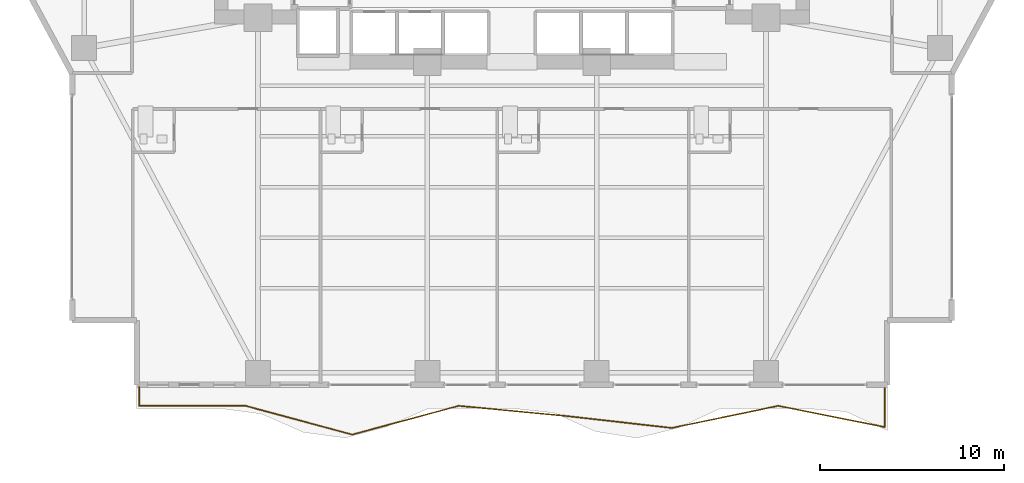
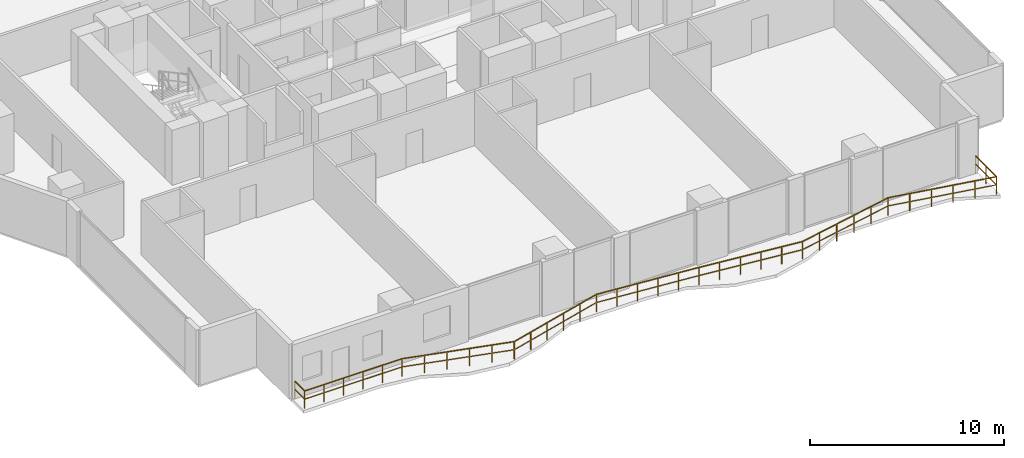
# One storey, part 25 of 28: 1 railing.
"""IFC4 building model written with IfcOpenShell, lengths in metres."""

from ifc_helpers import new_model, si_unit, direction, frame, origin, origin_2d, place, context, subcontext, project, spatial, rectangle, extrude, material, type_object, element, save


model = new_model("IFC4")

# Units and contexts
model_context = context("Model", 3, precision=1e-05, world=origin(), true_north=direction((0.0, 1.0)))
body_context = subcontext(model_context, "Body", "Model", "MODEL_VIEW")
ifc_project = project(units=[si_unit("LENGTHUNIT", "METRE"), si_unit("AREAUNIT", "SQUARE_METRE"), si_unit("VOLUMEUNIT", "CUBIC_METRE"), si_unit("PLANEANGLEUNIT", "RADIAN"), si_unit("MASSUNIT", "GRAM", prefix="KILO")], contexts=[model_context])

# Site, building, storey
site_placement = place(None, origin())
site = spatial("IfcSite", under=ifc_project, at=site_placement, CompositionType="ELEMENT")
building_placement = place(site_placement, origin())
building = spatial("IfcBuilding", under=site, at=building_placement, Name="Zuhayl Quay Hotel", CompositionType="ELEMENT")
storey_placement = place(building_placement, frame((0.0, 0.0, 146.75)))
storey = spatial("IfcBuildingStorey", under=building, at=storey_placement, Name="L37", CompositionType="ELEMENT", Elevation=146.75)

# Railing
ifc_material = material(Name="Anodised Aluminium and Laminated Glass", Category="aluminium")
railing_type = type_object("IfcRailingType", Name="RL_EXT_BAL_1100", PredefinedType="BALUSTRADE", material=ifc_material)
railing_placement = place(storey_placement, frame((-20.260009765625, -15.52001953125, 0.0)))
element("IfcRailing", 1, at=railing_placement, inside=storey, type_object=railing_type, Name="L37 Balcony and Terrace Guard GR_L37_BAL_S", PredefinedType="BALUSTRADE", context=body_context, shape_type="SweptSolid", body=[
    extrude(rectangle(XDim=0.048095703125, YDim=0.048095703125, at=origin_2d()), frame((0.0, 0.0, 1.09619140625), z_axis=(0.0, -1.0, 0.0), x_axis=(1.0, 0.0, 0.0)), (0.0, 0.0, 1.0), 1.02001953125),
    extrude(rectangle(XDim=0.0361328125, YDim=0.0361328125, at=origin_2d()), frame((0.0, 0.0, 0.58251953125), z_axis=(0.0, -1.0, 0.0), x_axis=(1.0, 0.0, 0.0)), (0.0, 0.0, 1.0), 1.02001953125),
    extrude(rectangle(XDim=0.048095703125, YDim=0.048095703125, at=origin_2d()), frame((0.0, -1.02001953125, 1.09619140625), z_axis=(1.0, 0.0, 0.0), x_axis=(0.0, 1.0, 0.0)), (0.0, 0.0, 1.0), 5.78857421875),
    extrude(rectangle(XDim=0.0361328125, YDim=0.0361328125, at=origin_2d()), frame((0.0, -1.02001953125, 0.58251953125), z_axis=(1.0, 0.0, 0.0), x_axis=(0.0, 1.0, 0.0)), (0.0, 0.0, 1.0), 5.78857421875),
    extrude(rectangle(XDim=0.048095703125, YDim=0.048095703125, at=origin_2d()), frame((5.78857421875, -1.02001953125, 1.09619140625), z_axis=(0.965497708312, -0.260411549753, 0.0), x_axis=(0.260411549753, 0.965497708312, 0.0)), (0.0, 0.0, 1.0), 5.995361328125),
    extrude(rectangle(XDim=0.0361328125, YDim=0.0361328125, at=origin_2d()), frame((5.78857421875, -1.02001953125, 0.58251953125), z_axis=(0.965497708312, -0.260411549753, 0.0), x_axis=(0.260411549753, 0.965497708312, 0.0)), (0.0, 0.0, 1.0), 5.995361328125),
    extrude(rectangle(XDim=0.048095703125, YDim=0.048095703125, at=origin_2d()), frame((11.5771484375, -2.581298828125, 1.09619140625), z_axis=(0.965497708312, 0.260411549753, 0.0), x_axis=(-0.260411549753, 0.965497708312, 0.0)), (0.0, 0.0, 1.0), 5.995361328125),
    extrude(rectangle(XDim=0.0361328125, YDim=0.0361328125, at=origin_2d()), frame((11.5771484375, -2.581298828125, 0.58251953125), z_axis=(0.965497708312, 0.260411549753, 0.0), x_axis=(-0.260411549753, 0.965497708312, 0.0)), (0.0, 0.0, 1.0), 5.995361328125),
    extrude(rectangle(XDim=0.048095703125, YDim=0.048095703125, at=origin_2d()), frame((17.36572265625, -1.02001953125, 1.09619140625), z_axis=(0.995570830919, -0.094014470284, 0.0), x_axis=(0.094014470284, 0.995570830919, 0.0)), (0.0, 0.0, 1.0), 5.814208984375),
    extrude(rectangle(XDim=0.0361328125, YDim=0.0361328125, at=origin_2d()), frame((17.36572265625, -1.02001953125, 0.58251953125), z_axis=(0.995570830919, -0.094014470284, 0.0), x_axis=(0.094014470284, 0.995570830919, 0.0)), (0.0, 0.0, 1.0), 5.814208984375),
    extrude(rectangle(XDim=0.048095703125, YDim=0.048095703125, at=origin_2d()), frame((23.154296875, -1.566650390625, 1.09619140625), z_axis=(0.993681749637, -0.112234488635, 0.0), x_axis=(0.112234488635, 0.993681749637, 0.0)), (0.0, 0.0, 1.0), 5.825439453125),
    extrude(rectangle(XDim=0.0361328125, YDim=0.0361328125, at=origin_2d()), frame((23.154296875, -1.566650390625, 0.58251953125), z_axis=(0.993681749637, -0.112234488635, 0.0), x_axis=(0.112234488635, 0.993681749637, 0.0)), (0.0, 0.0, 1.0), 5.825439453125),
    extrude(rectangle(XDim=0.048095703125, YDim=0.048095703125, at=origin_2d()), frame((28.94287109375, -2.220458984375, 1.09619140625), z_axis=(0.97916622884, 0.203060326748, 0.0), x_axis=(-0.203060326748, 0.97916622884, 0.0)), (0.0, 0.0, 1.0), 5.91162109375),
    extrude(rectangle(XDim=0.0361328125, YDim=0.0361328125, at=origin_2d()), frame((28.94287109375, -2.220458984375, 0.58251953125), z_axis=(0.97916622884, 0.203060326748, 0.0), x_axis=(-0.203060326748, 0.97916622884, 0.0)), (0.0, 0.0, 1.0), 5.91162109375),
    extrude(rectangle(XDim=0.048095703125, YDim=0.048095703125, at=origin_2d()), frame((34.7314453125, -1.02001953125, 1.09619140625), z_axis=(0.980699808506, -0.195519527406, 0.0), x_axis=(0.195519527406, 0.980699808506, 0.0)), (0.0, 0.0, 1.0), 5.902587890625),
    extrude(rectangle(XDim=0.0361328125, YDim=0.0361328125, at=origin_2d()), frame((34.7314453125, -1.02001953125, 0.58251953125), z_axis=(0.980699808506, -0.195519527406, 0.0), x_axis=(0.195519527406, 0.980699808506, 0.0)), (0.0, 0.0, 1.0), 5.902587890625),
    extrude(rectangle(XDim=0.048095703125, YDim=0.048095703125, at=origin_2d()), frame((40.52001953125, -2.174072265625, 1.09619140625), z_axis=(0.0, 1.0, 0.0), x_axis=(-1.0, 0.0, 0.0)), (0.0, 0.0, 1.0), 2.174072265625),
    extrude(rectangle(XDim=0.0361328125, YDim=0.0361328125, at=origin_2d()), frame((40.52001953125, -2.174072265625, 0.58251953125), z_axis=(0.0, 1.0, 0.0), x_axis=(-1.0, 0.0, 0.0)), (0.0, 0.0, 1.0), 2.174072265625),
    extrude(rectangle(XDim=0.0419921875, YDim=0.0419921875, at=origin_2d()), origin(), (0.0, 0.0, 1.0), 1.072021484375),
    extrude(rectangle(XDim=0.0419921875, YDim=0.0419921875, at=origin_2d()), frame((0.0, -1.02001953125, 0.0)), (0.0, 0.0, 1.0), 1.072021484375),
    extrude(rectangle(XDim=0.0419921875, YDim=0.0419921875, at=origin_2d()), frame((1.15771484375, -1.02001953125, 0.0)), (0.0, 0.0, 1.0), 1.072021484375),
    extrude(rectangle(XDim=0.0419921875, YDim=0.0419921875, at=origin_2d()), frame((2.3154296875, -1.02001953125, 0.0)), (0.0, 0.0, 1.0), 1.072021484375),
    extrude(rectangle(XDim=0.0419921875, YDim=0.0419921875, at=origin_2d()), frame((3.47314453125, -1.02001953125, 0.0)), (0.0, 0.0, 1.0), 1.072021484375),
    extrude(rectangle(XDim=0.0419921875, YDim=0.0419921875, at=origin_2d()), frame((4.630859375, -1.02001953125, 0.0)), (0.0, 0.0, 1.0), 1.072021484375),
    extrude(rectangle(XDim=0.0419921875, YDim=0.0419921875, at=origin_2d()), frame((5.78857421875, -1.02001953125, 0.0)), (0.0, 0.0, 1.0), 1.072021484375),
    extrude(rectangle(XDim=0.0419921875, YDim=0.0419921875, at=origin_2d()), frame((6.9462890625, -1.332275390625, 0.0)), (0.0, 0.0, 1.0), 1.072021484375),
    extrude(rectangle(XDim=0.0419921875, YDim=0.0419921875, at=origin_2d()), frame((8.10400390625, -1.64453125, 0.0)), (0.0, 0.0, 1.0), 1.072021484375),
    extrude(rectangle(XDim=0.0419921875, YDim=0.0419921875, at=origin_2d()), frame((9.26171875, -1.956787109375, 0.0)), (0.0, 0.0, 1.0), 1.072021484375),
    extrude(rectangle(XDim=0.0419921875, YDim=0.0419921875, at=origin_2d()), frame((10.41943359375, -2.26904296875, 0.0)), (0.0, 0.0, 1.0), 1.072021484375),
    extrude(rectangle(XDim=0.0419921875, YDim=0.0419921875, at=origin_2d()), frame((11.5771484375, -2.581298828125, 0.0)), (0.0, 0.0, 1.0), 1.072021484375),
    extrude(rectangle(XDim=0.0419921875, YDim=0.0419921875, at=origin_2d()), frame((12.73486328125, -2.26904296875, 0.0)), (0.0, 0.0, 1.0), 1.072021484375),
    extrude(rectangle(XDim=0.0419921875, YDim=0.0419921875, at=origin_2d()), frame((13.892578125, -1.956787109375, 0.0)), (0.0, 0.0, 1.0), 1.072021484375),
    extrude(rectangle(XDim=0.0419921875, YDim=0.0419921875, at=origin_2d()), frame((15.05029296875, -1.64453125, 0.0)), (0.0, 0.0, 1.0), 1.072021484375),
    extrude(rectangle(XDim=0.0419921875, YDim=0.0419921875, at=origin_2d()), frame((16.2080078125, -1.332275390625, 0.0)), (0.0, 0.0, 1.0), 1.072021484375),
    extrude(rectangle(XDim=0.0419921875, YDim=0.0419921875, at=origin_2d()), frame((17.36572265625, -1.02001953125, 0.0)), (0.0, 0.0, 1.0), 1.072021484375),
    extrude(rectangle(XDim=0.0419921875, YDim=0.0419921875, at=origin_2d()), frame((18.5234375, -1.12939453125, 0.0)), (0.0, 0.0, 1.0), 1.072021484375),
    extrude(rectangle(XDim=0.0419921875, YDim=0.0419921875, at=origin_2d()), frame((19.68115234375, -1.23876953125, 0.0)), (0.0, 0.0, 1.0), 1.072021484375),
    extrude(rectangle(XDim=0.0419921875, YDim=0.0419921875, at=origin_2d()), frame((20.8388671875, -1.347900390625, 0.0)), (0.0, 0.0, 1.0), 1.072021484375),
    extrude(rectangle(XDim=0.0419921875, YDim=0.0419921875, at=origin_2d()), frame((21.99658203125, -1.457275390625, 0.0)), (0.0, 0.0, 1.0), 1.072021484375),
    extrude(rectangle(XDim=0.0419921875, YDim=0.0419921875, at=origin_2d()), frame((23.154296875, -1.566650390625, 0.0)), (0.0, 0.0, 1.0), 1.072021484375),
    extrude(rectangle(XDim=0.0419921875, YDim=0.0419921875, at=origin_2d()), frame((24.31201171875, -1.697509765625, 0.0)), (0.0, 0.0, 1.0), 1.072021484375),
    extrude(rectangle(XDim=0.0419921875, YDim=0.0419921875, at=origin_2d()), frame((25.4697265625, -1.828125, 0.0)), (0.0, 0.0, 1.0), 1.072021484375),
    extrude(rectangle(XDim=0.0419921875, YDim=0.0419921875, at=origin_2d()), frame((26.62744140625, -1.958984375, 0.0)), (0.0, 0.0, 1.0), 1.072021484375),
    extrude(rectangle(XDim=0.0419921875, YDim=0.0419921875, at=origin_2d()), frame((27.78515625, -2.089599609375, 0.0)), (0.0, 0.0, 1.0), 1.072021484375),
    extrude(rectangle(XDim=0.0419921875, YDim=0.0419921875, at=origin_2d()), frame((28.94287109375, -2.220458984375, 0.0)), (0.0, 0.0, 1.0), 1.072021484375),
    extrude(rectangle(XDim=0.0419921875, YDim=0.0419921875, at=origin_2d()), frame((30.1005859375, -1.98046875, 0.0)), (0.0, 0.0, 1.0), 1.072021484375),
    extrude(rectangle(XDim=0.0419921875, YDim=0.0419921875, at=origin_2d()), frame((31.25830078125, -1.740234375, 0.0)), (0.0, 0.0, 1.0), 1.072021484375),
    extrude(rectangle(XDim=0.0419921875, YDim=0.0419921875, at=origin_2d()), frame((32.416015625, -1.500244140625, 0.0)), (0.0, 0.0, 1.0), 1.072021484375),
    extrude(rectangle(XDim=0.0419921875, YDim=0.0419921875, at=origin_2d()), frame((33.57373046875, -1.260009765625, 0.0)), (0.0, 0.0, 1.0), 1.072021484375),
    extrude(rectangle(XDim=0.0419921875, YDim=0.0419921875, at=origin_2d()), frame((34.7314453125, -1.02001953125, 0.0)), (0.0, 0.0, 1.0), 1.072021484375),
    extrude(rectangle(XDim=0.0419921875, YDim=0.0419921875, at=origin_2d()), frame((35.88916015625, -1.250732421875, 0.0)), (0.0, 0.0, 1.0), 1.072021484375),
    extrude(rectangle(XDim=0.0419921875, YDim=0.0419921875, at=origin_2d()), frame((37.046875, -1.481689453125, 0.0)), (0.0, 0.0, 1.0), 1.072021484375),
    extrude(rectangle(XDim=0.0419921875, YDim=0.0419921875, at=origin_2d()), frame((38.20458984375, -1.71240234375, 0.0)), (0.0, 0.0, 1.0), 1.072021484375),
    extrude(rectangle(XDim=0.0419921875, YDim=0.0419921875, at=origin_2d()), frame((39.3623046875, -1.943359375, 0.0)), (0.0, 0.0, 1.0), 1.072021484375),
    extrude(rectangle(XDim=0.0419921875, YDim=0.0419921875, at=origin_2d()), frame((40.52001953125, -2.174072265625, 0.0)), (0.0, 0.0, 1.0), 1.072021484375),
    extrude(rectangle(XDim=0.0419921875, YDim=0.0419921875, at=origin_2d()), frame((40.52001953125, -1.0869140625, 0.0)), (0.0, 0.0, 1.0), 1.072021484375),
    extrude(rectangle(XDim=0.0419921875, YDim=0.0419921875, at=origin_2d()), frame((40.52001953125, 0.0, 0.0)), (0.0, 0.0, 1.0), 1.072021484375),
])

save(model, "model.ifc")
